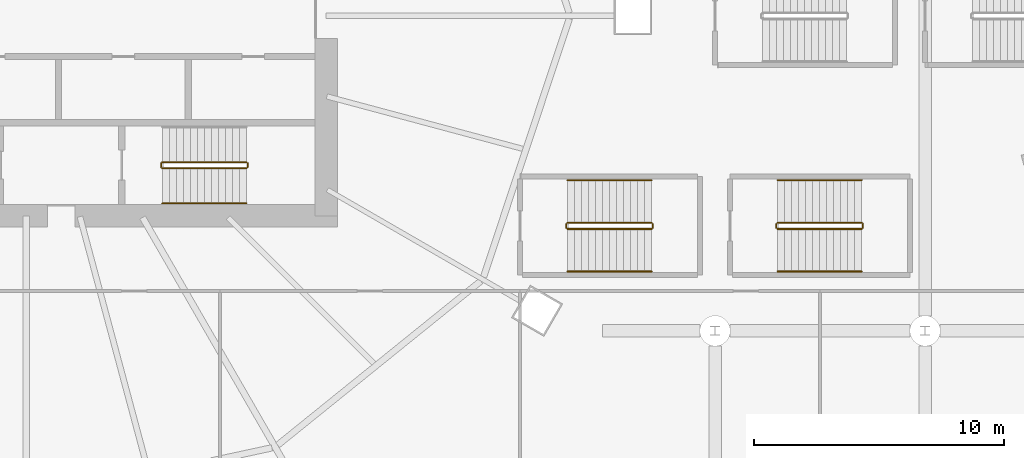
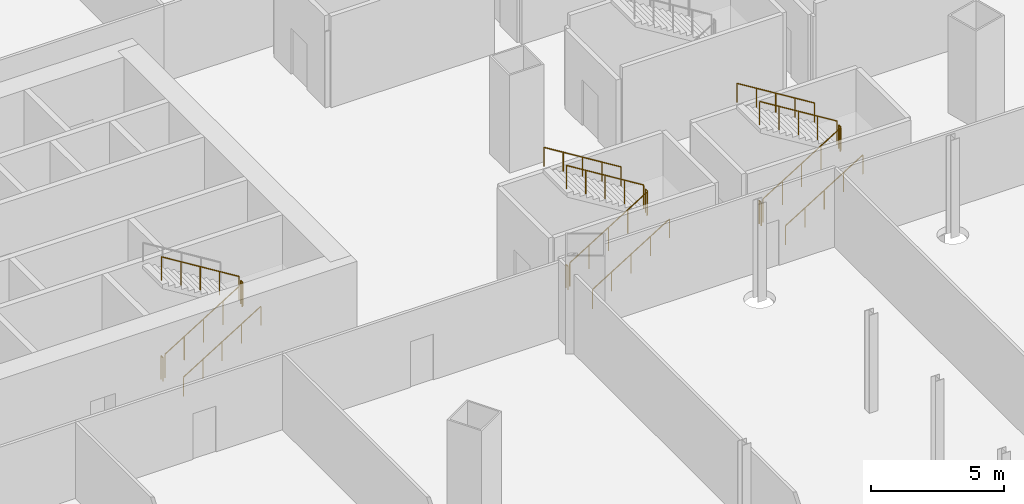
# One storey, part 47 of 56: 17 railings.
"""IFC4 building model written with IfcOpenShell, lengths in metres."""

from ifc_helpers import new_model, si_unit, direction, frame, origin, origin_2d, place, context, subcontext, project, spatial, circle, extrude, material, type_object, element, save


model = new_model("IFC4")

# Units and contexts
model_context = context("Model", 3, precision=1e-05, world=origin(), true_north=direction((0.0, 1.0)))
body_context = subcontext(model_context, "Body", "Model", "MODEL_VIEW")
ifc_project = project(units=[si_unit("LENGTHUNIT", "METRE"), si_unit("AREAUNIT", "SQUARE_METRE"), si_unit("VOLUMEUNIT", "CUBIC_METRE"), si_unit("PLANEANGLEUNIT", "RADIAN"), si_unit("MASSUNIT", "GRAM", prefix="KILO")], contexts=[model_context])

# Site, building, storey
site_placement = place(None, origin())
site = spatial("IfcSite", under=ifc_project, at=site_placement, CompositionType="ELEMENT")
building_placement = place(site_placement, origin())
building = spatial("IfcBuilding", under=site, at=building_placement, Name="Rimbun Link Towers", CompositionType="ELEMENT")
storey_placement = place(building_placement, frame((0.0, 0.0, 16.5)))
storey = spatial("IfcBuildingStorey", under=building, at=storey_placement, Name="L03", CompositionType="ELEMENT", Elevation=16.5)

# Railings
ifc_material_1 = material(Name="Stainless steel grade 316", Category="steel")
railing_type_1 = type_object("IfcRailingType", Name="Stair guard", PredefinedType="GUARDRAIL", material=ifc_material_1)
railing_1_placement = place(storey_placement, frame((-26.300048828125, -6.10009765625, 0.173095703125)))
element("IfcRailing", 1, at=railing_1_placement, inside=storey, type_object=railing_type_1, Name="L03 ST2 stair guard 1", PredefinedType="GUARDRAIL", context=body_context, shape_type="SweptSolid", body=[
    extrude(circle(Radius=0.02392578125, at=origin_2d()), frame((0.0, 0.0, 1.076171875), z_axis=(0.850623216509, 0.0, 0.525775754039), x_axis=(0.0, 1.0, 0.0)), (0.0, 0.0, 1.0), 3.9501953125),
    extrude(circle(Radius=0.02099609375, at=origin_2d()), origin(), (0.0, 0.0, 1.0), 1.052001953125),
    extrude(circle(Radius=0.02099609375, at=origin_2d()), frame((0.840087890625, 0.0, 0.519287109375)), (0.0, 0.0, 1.0), 1.052001953125),
    extrude(circle(Radius=0.02099609375, at=origin_2d()), frame((1.68017578125, 0.0, 1.03857421875)), (0.0, 0.0, 1.0), 1.052001953125),
    extrude(circle(Radius=0.02099609375, at=origin_2d()), frame((2.52001953125, 0.0, 1.5576171875)), (0.0, 0.0, 1.0), 1.052001953125),
    extrude(circle(Radius=0.02099609375, at=origin_2d()), frame((3.360107421875, 0.0, 2.076904296875)), (0.0, 0.0, 1.0), 1.052001953125),
])
railing_2_placement = place(storey_placement, frame((-22.889892578125, -6.050048828125, 2.25)))
element("IfcRailing", 2, at=railing_2_placement, inside=storey, type_object=railing_type_1, Name="L03 ST2 stair guard 2", PredefinedType="GUARDRAIL", context=body_context, shape_type="SweptSolid", body=[
    extrude(circle(Radius=0.02392578125, at=origin_2d()), frame((0.0, 0.0, 1.076171875), z_axis=(0.0, 1.0, 0.0), x_axis=(-1.0, 0.0, 0.0)), (0.0, 0.0, 1.0), 0.150146484375),
    extrude(circle(Radius=0.02099609375, at=origin_2d()), origin(), (0.0, 0.0, 1.0), 1.052001953125),
    extrude(circle(Radius=0.02099609375, at=origin_2d()), frame((0.0, 0.150146484375, 0.0)), (0.0, 0.0, 1.0), 1.052001953125),
])
railing_3_placement = place(storey_placement, frame((-22.93994140625, -5.85009765625, 2.423095703125)))
element("IfcRailing", 3, at=railing_3_placement, inside=storey, type_object=railing_type_1, Name="L03 ST2 stair guard 3", PredefinedType="GUARDRAIL", context=body_context, shape_type="SweptSolid", body=[
    extrude(circle(Radius=0.02392578125, at=origin_2d()), frame((0.0, 0.0, 1.076171875), z_axis=(-0.850623216509, 0.0, 0.525775754039), x_axis=(0.0, -1.0, 0.0)), (0.0, 0.0, 1.0), 3.9501953125),
    extrude(circle(Radius=0.02099609375, at=origin_2d()), origin(), (0.0, 0.0, 1.0), 1.052001953125),
    extrude(circle(Radius=0.02099609375, at=origin_2d()), frame((-0.840087890625, 0.0, 0.519287109375)), (0.0, 0.0, 1.0), 1.052001953125),
    extrude(circle(Radius=0.02099609375, at=origin_2d()), frame((-1.68017578125, 0.0, 1.03857421875)), (0.0, 0.0, 1.0), 1.052001953125),
    extrude(circle(Radius=0.02099609375, at=origin_2d()), frame((-2.52001953125, 0.0, 1.5576171875)), (0.0, 0.0, 1.0), 1.052001953125),
    extrude(circle(Radius=0.02099609375, at=origin_2d()), frame((-3.360107421875, 0.0, 2.076904296875)), (0.0, 0.0, 1.0), 1.052001953125),
])
railing_4_placement = place(storey_placement, frame((-26.35009765625, -6.050048828125, 0.0)))
element("IfcRailing", 4, at=railing_4_placement, inside=storey, type_object=railing_type_1, Name="L03 ST2 stair guard 4", PredefinedType="GUARDRAIL", context=body_context, shape_type="SweptSolid", body=[
    extrude(circle(Radius=0.02392578125, at=origin_2d()), frame((0.0, 0.0, 1.076171875), z_axis=(0.0, 1.0, 0.0), x_axis=(-1.0, 0.0, 0.0)), (0.0, 0.0, 1.0), 0.150146484375),
    extrude(circle(Radius=0.02099609375, at=origin_2d()), origin(), (0.0, 0.0, 1.0), 1.052001953125),
    extrude(circle(Radius=0.02099609375, at=origin_2d()), frame((0.0, 0.150146484375, 0.0)), (0.0, 0.0, 1.0), 1.052001953125),
])
railing_5_placement = place(storey_placement, frame((-10.10009765625, -8.52490234375, 0.173095703125)))
element("IfcRailing", 5, at=railing_5_placement, inside=storey, type_object=railing_type_1, Name="L03 PS1 stair guard 1", PredefinedType="GUARDRAIL", context=body_context, shape_type="SweptSolid", body=[
    extrude(circle(Radius=0.02392578125, at=origin_2d()), frame((0.0, 0.0, 1.076171875), z_axis=(0.850623216509, 0.0, 0.525775754039), x_axis=(0.0, 1.0, 0.0)), (0.0, 0.0, 1.0), 3.9501953125),
    extrude(circle(Radius=0.02099609375, at=origin_2d()), origin(), (0.0, 0.0, 1.0), 1.052001953125),
    extrude(circle(Radius=0.02099609375, at=origin_2d()), frame((0.840087890625, 0.0, 0.519287109375)), (0.0, 0.0, 1.0), 1.052001953125),
    extrude(circle(Radius=0.02099609375, at=origin_2d()), frame((1.68017578125, 0.0, 1.03857421875)), (0.0, 0.0, 1.0), 1.052001953125),
    extrude(circle(Radius=0.02099609375, at=origin_2d()), frame((2.52001953125, 0.0, 1.5576171875)), (0.0, 0.0, 1.0), 1.052001953125),
    extrude(circle(Radius=0.02099609375, at=origin_2d()), frame((3.360107421875, 0.0, 2.076904296875)), (0.0, 0.0, 1.0), 1.052001953125),
])
railing_6_placement = place(storey_placement, frame((-6.68994140625, -8.47509765625, 2.25)))
element("IfcRailing", 6, at=railing_6_placement, inside=storey, type_object=railing_type_1, Name="L03 PS1 stair guard 2", PredefinedType="GUARDRAIL", context=body_context, shape_type="SweptSolid", body=[
    extrude(circle(Radius=0.02392578125, at=origin_2d()), frame((0.0, 0.0, 1.076171875), z_axis=(0.0, 1.0, 0.0), x_axis=(-1.0, 0.0, 0.0)), (0.0, 0.0, 1.0), 0.150146484375),
    extrude(circle(Radius=0.02099609375, at=origin_2d()), origin(), (0.0, 0.0, 1.0), 1.052001953125),
    extrude(circle(Radius=0.02099609375, at=origin_2d()), frame((0.0, 0.150146484375, 0.0)), (0.0, 0.0, 1.0), 1.052001953125),
])
railing_7_placement = place(storey_placement, frame((-6.739990234375, -8.27490234375, 2.423095703125)))
element("IfcRailing", 7, at=railing_7_placement, inside=storey, type_object=railing_type_1, Name="L03 PS1 stair guard 3", PredefinedType="GUARDRAIL", context=body_context, shape_type="SweptSolid", body=[
    extrude(circle(Radius=0.02392578125, at=origin_2d()), frame((0.0, 0.0, 1.076171875), z_axis=(-0.850623216509, 0.0, 0.525775754039), x_axis=(0.0, -1.0, 0.0)), (0.0, 0.0, 1.0), 3.9501953125),
    extrude(circle(Radius=0.02099609375, at=origin_2d()), origin(), (0.0, 0.0, 1.0), 1.052001953125),
    extrude(circle(Radius=0.02099609375, at=origin_2d()), frame((-0.840087890625, 0.0, 0.519287109375)), (0.0, 0.0, 1.0), 1.052001953125),
    extrude(circle(Radius=0.02099609375, at=origin_2d()), frame((-1.68017578125, 0.0, 1.03857421875)), (0.0, 0.0, 1.0), 1.052001953125),
    extrude(circle(Radius=0.02099609375, at=origin_2d()), frame((-2.52001953125, 0.0, 1.5576171875)), (0.0, 0.0, 1.0), 1.052001953125),
    extrude(circle(Radius=0.02099609375, at=origin_2d()), frame((-3.360107421875, 0.0, 2.076904296875)), (0.0, 0.0, 1.0), 1.052001953125),
])
railing_8_placement = place(storey_placement, frame((-10.14990234375, -8.47509765625, 0.0)))
element("IfcRailing", 8, at=railing_8_placement, inside=storey, type_object=railing_type_1, Name="L03 PS1 stair guard 4", PredefinedType="GUARDRAIL", context=body_context, shape_type="SweptSolid", body=[
    extrude(circle(Radius=0.02392578125, at=origin_2d()), frame((0.0, 0.0, 1.076171875), z_axis=(0.0, 1.0, 0.0), x_axis=(-1.0, 0.0, 0.0)), (0.0, 0.0, 1.0), 0.150146484375),
    extrude(circle(Radius=0.02099609375, at=origin_2d()), origin(), (0.0, 0.0, 1.0), 1.052001953125),
    extrude(circle(Radius=0.02099609375, at=origin_2d()), frame((0.0, 0.150146484375, 0.0)), (0.0, 0.0, 1.0), 1.052001953125),
])
railing_9_placement = place(storey_placement, frame((-1.699951171875, -8.52490234375, 0.173095703125)))
element("IfcRailing", 9, at=railing_9_placement, inside=storey, type_object=railing_type_1, Name="L03 PS2 stair guard 1", PredefinedType="GUARDRAIL", context=body_context, shape_type="SweptSolid", body=[
    extrude(circle(Radius=0.02392578125, at=origin_2d()), frame((0.0, 0.0, 1.076171875), z_axis=(0.850606129759, 0.0, 0.525803396734), x_axis=(0.0, 1.0, 0.0)), (0.0, 0.0, 1.0), 3.949951171875),
    extrude(circle(Radius=0.02099609375, at=origin_2d()), origin(), (0.0, 0.0, 1.0), 1.052001953125),
    extrude(circle(Radius=0.02099609375, at=origin_2d()), frame((0.83984375, 0.0, 0.519287109375)), (0.0, 0.0, 1.0), 1.052001953125),
    extrude(circle(Radius=0.02099609375, at=origin_2d()), frame((1.679931640625, 0.0, 1.03857421875)), (0.0, 0.0, 1.0), 1.052001953125),
    extrude(circle(Radius=0.02099609375, at=origin_2d()), frame((2.52001953125, 0.0, 1.5576171875)), (0.0, 0.0, 1.0), 1.052001953125),
    extrude(circle(Radius=0.02099609375, at=origin_2d()), frame((3.35986328125, 0.0, 2.076904296875)), (0.0, 0.0, 1.0), 1.052001953125),
])
railing_10_placement = place(storey_placement, frame((1.7099609375, -8.47509765625, 2.25)))
element("IfcRailing", 10, at=railing_10_placement, inside=storey, type_object=railing_type_1, Name="L03 PS2 stair guard 2", PredefinedType="GUARDRAIL", context=body_context, shape_type="SweptSolid", body=[
    extrude(circle(Radius=0.02392578125, at=origin_2d()), frame((0.0, 0.0, 1.076171875), z_axis=(0.0, 1.0, 0.0), x_axis=(-1.0, 0.0, 0.0)), (0.0, 0.0, 1.0), 0.150146484375),
    extrude(circle(Radius=0.02099609375, at=origin_2d()), origin(), (0.0, 0.0, 1.0), 1.052001953125),
    extrude(circle(Radius=0.02099609375, at=origin_2d()), frame((0.0, 0.150146484375, 0.0)), (0.0, 0.0, 1.0), 1.052001953125),
])
railing_11_placement = place(storey_placement, frame((1.659912109375, -8.27490234375, 2.423095703125)))
element("IfcRailing", 11, at=railing_11_placement, inside=storey, type_object=railing_type_1, Name="L03 PS2 stair guard 3", PredefinedType="GUARDRAIL", context=body_context, shape_type="SweptSolid", body=[
    extrude(circle(Radius=0.02392578125, at=origin_2d()), frame((0.0, 0.0, 1.076171875), z_axis=(-0.850606129759, 0.0, 0.525803396734), x_axis=(0.0, -1.0, 0.0)), (0.0, 0.0, 1.0), 3.949951171875),
    extrude(circle(Radius=0.02099609375, at=origin_2d()), origin(), (0.0, 0.0, 1.0), 1.052001953125),
    extrude(circle(Radius=0.02099609375, at=origin_2d()), frame((-0.83984375, 0.0, 0.519287109375)), (0.0, 0.0, 1.0), 1.052001953125),
    extrude(circle(Radius=0.02099609375, at=origin_2d()), frame((-1.679931640625, 0.0, 1.03857421875)), (0.0, 0.0, 1.0), 1.052001953125),
    extrude(circle(Radius=0.02099609375, at=origin_2d()), frame((-2.52001953125, 0.0, 1.5576171875)), (0.0, 0.0, 1.0), 1.052001953125),
    extrude(circle(Radius=0.02099609375, at=origin_2d()), frame((-3.35986328125, 0.0, 2.076904296875)), (0.0, 0.0, 1.0), 1.052001953125),
])
railing_12_placement = place(storey_placement, frame((-1.75, -8.47509765625, 0.0)))
element("IfcRailing", 12, at=railing_12_placement, inside=storey, type_object=railing_type_1, Name="L03 PS2 stair guard 4", PredefinedType="GUARDRAIL", context=body_context, shape_type="SweptSolid", body=[
    extrude(circle(Radius=0.02392578125, at=origin_2d()), frame((0.0, 0.0, 1.076171875), z_axis=(0.0, 1.0, 0.0), x_axis=(-1.0, 0.0, 0.0)), (0.0, 0.0, 1.0), 0.150146484375),
    extrude(circle(Radius=0.02099609375, at=origin_2d()), origin(), (0.0, 0.0, 1.0), 1.052001953125),
    extrude(circle(Radius=0.02099609375, at=origin_2d()), frame((0.0, 0.150146484375, 0.0)), (0.0, 0.0, 1.0), 1.052001953125),
])
ifc_material_2 = material(Name="Stainless steel grade 316", Category="steel")
railing_type_2 = type_object("IfcRailingType", Name="Stair handrail", PredefinedType="HANDRAIL", material=ifc_material_2)
for number, where, name in (
    (13, (-26.300048828125, -7.5, 0.173095703125), "L03 ST2 stair handrail 1"),
    (14, (-10.10009765625, -10.22509765625, 0.173095703125), "L03 PS1 stair handrail 1"),
):
    element("IfcRailing", number, at=place(storey_placement, frame(where)), inside=storey, type_object=railing_type_2, Name=name, PredefinedType="HANDRAIL", context=body_context, shape_type="SweptSolid", body=[
        extrude(circle(Radius=0.02392578125, at=origin_2d()), frame((0.0, 0.0, 0.8759765625), z_axis=(0.850623216509, 0.0, 0.525775754039), x_axis=(0.0, 1.0, 0.0)), (0.0, 0.0, 1.0), 3.9501953125),
        extrude(circle(Radius=0.02099609375, at=origin_2d()), origin(), (0.0, 0.0, 1.0), 0.851806640625),
        extrude(circle(Radius=0.02099609375, at=origin_2d()), frame((0.840087890625, 0.0, 0.519287109375)), (0.0, 0.0, 1.0), 0.851806640625),
        extrude(circle(Radius=0.02099609375, at=origin_2d()), frame((1.68017578125, 0.0, 1.03857421875)), (0.0, 0.0, 1.0), 0.851806640625),
        extrude(circle(Radius=0.02099609375, at=origin_2d()), frame((2.52001953125, 0.0, 1.5576171875)), (0.0, 0.0, 1.0), 0.851806640625),
        extrude(circle(Radius=0.02099609375, at=origin_2d()), frame((3.360107421875, 0.0, 2.076904296875)), (0.0, 0.0, 1.0), 0.851806640625),
    ])
railing_13_placement = place(storey_placement, frame((-6.739990234375, -6.574951171875, 2.423095703125)))
element("IfcRailing", 15, at=railing_13_placement, inside=storey, type_object=railing_type_2, Name="L03 PS1 stair handrail 2", PredefinedType="HANDRAIL", context=body_context, shape_type="SweptSolid", body=[
    extrude(circle(Radius=0.02392578125, at=origin_2d()), frame((0.0, 0.0, 0.8759765625), z_axis=(-0.850623216509, 0.0, 0.525775754039), x_axis=(0.0, -1.0, 0.0)), (0.0, 0.0, 1.0), 3.9501953125),
    extrude(circle(Radius=0.02099609375, at=origin_2d()), origin(), (0.0, 0.0, 1.0), 0.851806640625),
    extrude(circle(Radius=0.02099609375, at=origin_2d()), frame((-0.840087890625, 0.0, 0.519287109375)), (0.0, 0.0, 1.0), 0.851806640625),
    extrude(circle(Radius=0.02099609375, at=origin_2d()), frame((-1.68017578125, 0.0, 1.03857421875)), (0.0, 0.0, 1.0), 0.851806640625),
    extrude(circle(Radius=0.02099609375, at=origin_2d()), frame((-2.52001953125, 0.0, 1.5576171875)), (0.0, 0.0, 1.0), 0.851806640625),
    extrude(circle(Radius=0.02099609375, at=origin_2d()), frame((-3.360107421875, 0.0, 2.076904296875)), (0.0, 0.0, 1.0), 0.851806640625),
])
railing_14_placement = place(storey_placement, frame((-1.699951171875, -10.22509765625, 0.173095703125)))
element("IfcRailing", 16, at=railing_14_placement, inside=storey, type_object=railing_type_2, Name="L03 PS2 stair handrail 1", PredefinedType="HANDRAIL", context=body_context, shape_type="SweptSolid", body=[
    extrude(circle(Radius=0.02392578125, at=origin_2d()), frame((0.0, 0.0, 0.8759765625), z_axis=(0.850606129759, 0.0, 0.525803396734), x_axis=(0.0, 1.0, 0.0)), (0.0, 0.0, 1.0), 3.949951171875),
    extrude(circle(Radius=0.02099609375, at=origin_2d()), origin(), (0.0, 0.0, 1.0), 0.851806640625),
    extrude(circle(Radius=0.02099609375, at=origin_2d()), frame((0.83984375, 0.0, 0.519287109375)), (0.0, 0.0, 1.0), 0.851806640625),
    extrude(circle(Radius=0.02099609375, at=origin_2d()), frame((1.679931640625, 0.0, 1.03857421875)), (0.0, 0.0, 1.0), 0.851806640625),
    extrude(circle(Radius=0.02099609375, at=origin_2d()), frame((2.52001953125, 0.0, 1.5576171875)), (0.0, 0.0, 1.0), 0.851806640625),
    extrude(circle(Radius=0.02099609375, at=origin_2d()), frame((3.35986328125, 0.0, 2.076904296875)), (0.0, 0.0, 1.0), 0.851806640625),
])
railing_15_placement = place(storey_placement, frame((1.659912109375, -6.574951171875, 2.423095703125)))
element("IfcRailing", 17, at=railing_15_placement, inside=storey, type_object=railing_type_2, Name="L03 PS2 stair handrail 2", PredefinedType="HANDRAIL", context=body_context, shape_type="SweptSolid", body=[
    extrude(circle(Radius=0.02392578125, at=origin_2d()), frame((0.0, 0.0, 0.8759765625), z_axis=(-0.850606129759, 0.0, 0.525803396734), x_axis=(0.0, -1.0, 0.0)), (0.0, 0.0, 1.0), 3.949951171875),
    extrude(circle(Radius=0.02099609375, at=origin_2d()), origin(), (0.0, 0.0, 1.0), 0.851806640625),
    extrude(circle(Radius=0.02099609375, at=origin_2d()), frame((-0.83984375, 0.0, 0.519287109375)), (0.0, 0.0, 1.0), 0.851806640625),
    extrude(circle(Radius=0.02099609375, at=origin_2d()), frame((-1.679931640625, 0.0, 1.03857421875)), (0.0, 0.0, 1.0), 0.851806640625),
    extrude(circle(Radius=0.02099609375, at=origin_2d()), frame((-2.52001953125, 0.0, 1.5576171875)), (0.0, 0.0, 1.0), 0.851806640625),
    extrude(circle(Radius=0.02099609375, at=origin_2d()), frame((-3.35986328125, 0.0, 2.076904296875)), (0.0, 0.0, 1.0), 0.851806640625),
])

save(model, "model.ifc")
